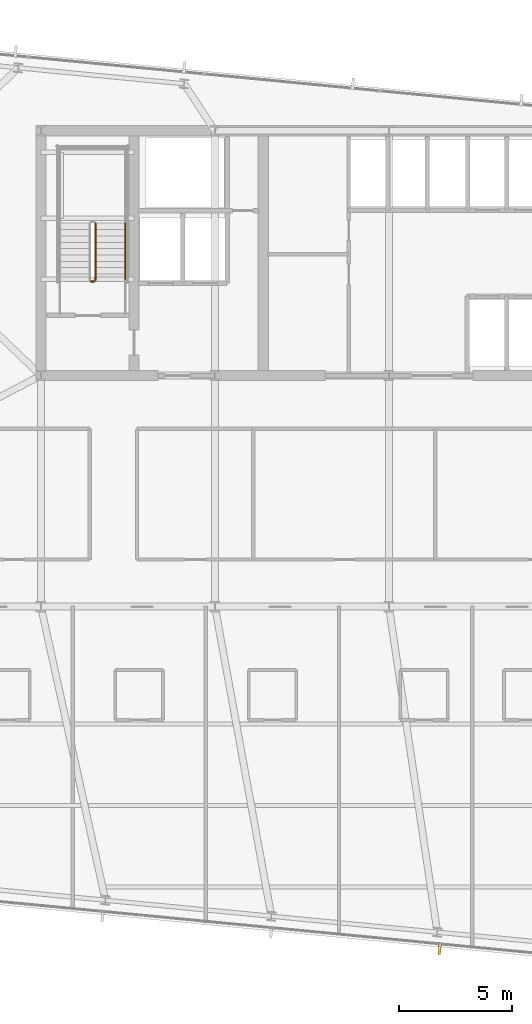
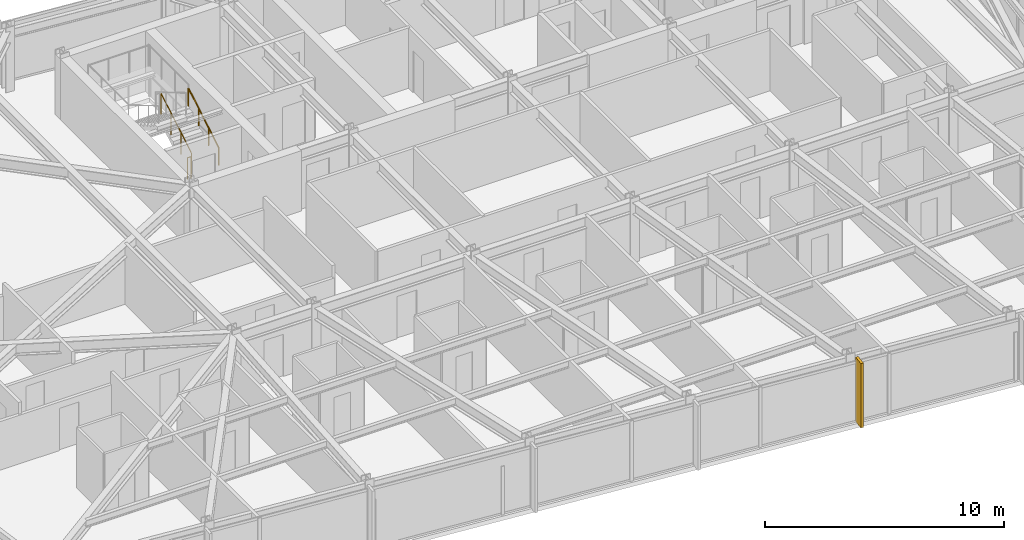
# One storey, part 34 of 37: 3 railings, 1 shading device.
"""IFC4 building model written with IfcOpenShell, lengths in metres."""

from ifc_helpers import new_model, si_unit, direction, frame, origin, origin_2d, place, context, subcontext, project, spatial, rectangle, circle, extrude, material, layer, layer_set, type_object, element, save


model = new_model("IFC4")

# Units and contexts
model_context = context("Model", 3, precision=1e-05, world=origin(), true_north=direction((0.0, 1.0)))
body_context = subcontext(model_context, "Body", "Model", "MODEL_VIEW")
ifc_project = project(units=[si_unit("LENGTHUNIT", "METRE"), si_unit("AREAUNIT", "SQUARE_METRE"), si_unit("VOLUMEUNIT", "CUBIC_METRE"), si_unit("PLANEANGLEUNIT", "RADIAN"), si_unit("MASSUNIT", "GRAM", prefix="KILO")], contexts=[model_context])

# Site, building, storey
site_placement = place(None, origin())
site = spatial("IfcSite", under=ifc_project, at=site_placement, CompositionType="ELEMENT")
building_placement = place(site_placement, origin())
building = spatial("IfcBuilding", under=site, at=building_placement, Name="Yelkora Congress Tower", CompositionType="ELEMENT")
storey_placement = place(building_placement, frame((0.0, 0.0, 158.89990234375)))
storey = spatial("IfcBuildingStorey", under=building, at=storey_placement, Name="L43", CompositionType="ELEMENT", Elevation=158.89990234375)

# Railings
ifc_material_1 = material(Name="Painted galvanised steel stair well guard with vertical infill", Category="steel")
ifc_layer_1 = layer(ifc_material_1, 0.06005859375)
ifc_layer_set_1 = layer_set([ifc_layer_1], Name="Painted galvanised steel stair well guard with vertical infill")
railing_type_1 = type_object("IfcRailingType", Name="RAIL-STAIR-GUARD-1120", PredefinedType="GUARDRAIL", material=ifc_layer_set_1)
railing_1_placement = place(storey_placement, frame((25.449951171875, 39.60009765625, 0.1650390625)))
element("IfcRailing", 1, at=railing_1_placement, inside=storey, type_object=railing_type_1, Name="ST-01 L43 Stair Well Guardrail 1", PredefinedType="GUARDRAIL", context=body_context, shape_type="SweptSolid", body=[
    extrude(circle(Radius=0.02392578125, at=origin_2d()), frame((0.0, 0.0, 1.09619140625), z_axis=(0.0, 0.86152411907, 0.507716645641), x_axis=(-1.0, 0.0, 0.0)), (0.0, 0.0, 1.0), 2.925048828125),
    extrude(circle(Radius=0.02099609375, at=origin_2d()), origin(), (0.0, 0.0, 1.0), 1.072021484375),
    extrude(circle(Radius=0.02099609375, at=origin_2d()), frame((0.0, 0.840087890625, 0.4951171875)), (0.0, 0.0, 1.0), 1.072021484375),
    extrude(circle(Radius=0.02099609375, at=origin_2d()), frame((0.0, 1.679931640625, 0.989990234375)), (0.0, 0.0, 1.0), 1.072021484375),
    extrude(circle(Radius=0.02099609375, at=origin_2d()), frame((0.0, 2.52001953125, 1.485107421875)), (0.0, 0.0, 1.0), 1.072021484375),
])
railing_2_placement = place(storey_placement, frame((25.39990234375, 39.550048828125, 0.0)))
element("IfcRailing", 2, at=railing_2_placement, inside=storey, type_object=railing_type_1, Name="ST-01 L43 Stair Well Guardrail 7", PredefinedType="GUARDRAIL", context=body_context, shape_type="SweptSolid", body=[
    extrude(circle(Radius=0.02392578125, at=origin_2d()), frame((0.0, 0.0, 1.09619140625), z_axis=(-1.0, 0.0, 0.0), x_axis=(0.0, -1.0, 0.0)), (0.0, 0.0, 1.0), 0.159912109375),
    extrude(circle(Radius=0.02099609375, at=origin_2d()), origin(), (0.0, 0.0, 1.0), 1.072021484375),
    extrude(circle(Radius=0.02099609375, at=origin_2d()), frame((-0.159912109375, 0.0, 0.0)), (0.0, 0.0, 1.0), 1.072021484375),
])
ifc_material_2 = material(Name="Brushed stainless steel tubular handrail", Category="steel")
ifc_layer_2 = layer(ifc_material_2, 0.050048828125)
ifc_layer_set_2 = layer_set([ifc_layer_2], Name="Brushed stainless steel tubular handrail")
railing_type_2 = type_object("IfcRailingType", Name="RAIL-STAIR-HAND-920", PredefinedType="HANDRAIL", material=ifc_layer_set_2)
railing_3_placement = place(storey_placement, frame((26.77001953125, 39.60009765625, 0.1650390625)))
element("IfcRailing", 3, at=railing_3_placement, inside=storey, type_object=railing_type_2, Name="ST-01 L43 Pitch Handrail 1", PredefinedType="HANDRAIL", context=body_context, shape_type="SweptSolid", body=[
    extrude(circle(Radius=0.02392578125, at=origin_2d()), frame((0.0, 0.0, 0.89599609375), z_axis=(0.0, 0.86152411907, 0.507716645641), x_axis=(-1.0, 0.0, 0.0)), (0.0, 0.0, 1.0), 2.925048828125),
    extrude(circle(Radius=0.02099609375, at=origin_2d()), origin(), (0.0, 0.0, 1.0), 0.871826171875),
    extrude(circle(Radius=0.02099609375, at=origin_2d()), frame((0.0, 0.840087890625, 0.4951171875)), (0.0, 0.0, 1.0), 0.871826171875),
    extrude(circle(Radius=0.02099609375, at=origin_2d()), frame((0.0, 1.679931640625, 0.989990234375)), (0.0, 0.0, 1.0), 0.871826171875),
    extrude(circle(Radius=0.02099609375, at=origin_2d()), frame((0.0, 2.52001953125, 1.485107421875)), (0.0, 0.0, 1.0), 0.871826171875),
])

# Shading device
ifc_material_3 = material(Name="Champagne anodised aluminium", Category="aluminium")
ifc_layer_3 = layer(ifc_material_3, 3.300048828125)
ifc_layer_set_3 = layer_set([ifc_layer_3], Name="Champagne anodised aluminium")
shading_device_type = type_object("IfcShadingDeviceType", Name="SHD-FIN-ALU-520", PredefinedType="USERDEFINED", material=ifc_layer_set_3)
shading_device_placement = place(storey_placement, frame((40.642333984375, 10.10791015625, -0.02978515625), z_axis=(0.0, 0.0, 1.0), x_axis=(-0.995396198367, 0.09584575252, 0.0)))
element("IfcShadingDevice", 4, at=shading_device_placement, inside=storey, type_object=shading_device_type, Name="L43 Vertical Anodised Solar Fin 20-2", ObjectType="FIN", PredefinedType="USERDEFINED", context=body_context, shape_type="SweptSolid", body=[
    extrude(rectangle(XDim=0.1201171875, YDim=0.52001953125, at=origin_2d()), origin(), (0.0, 0.0, 1.0), 3.280029296875),
])

save(model, "model.ifc")
